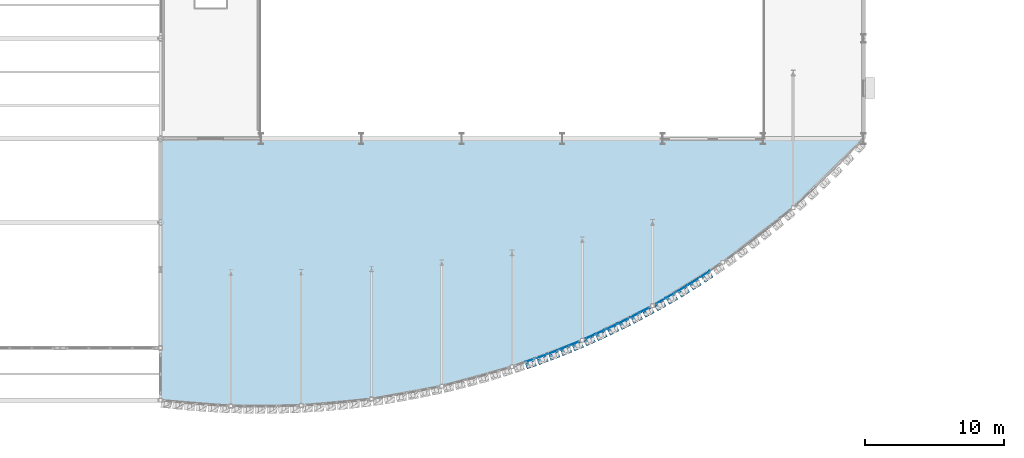
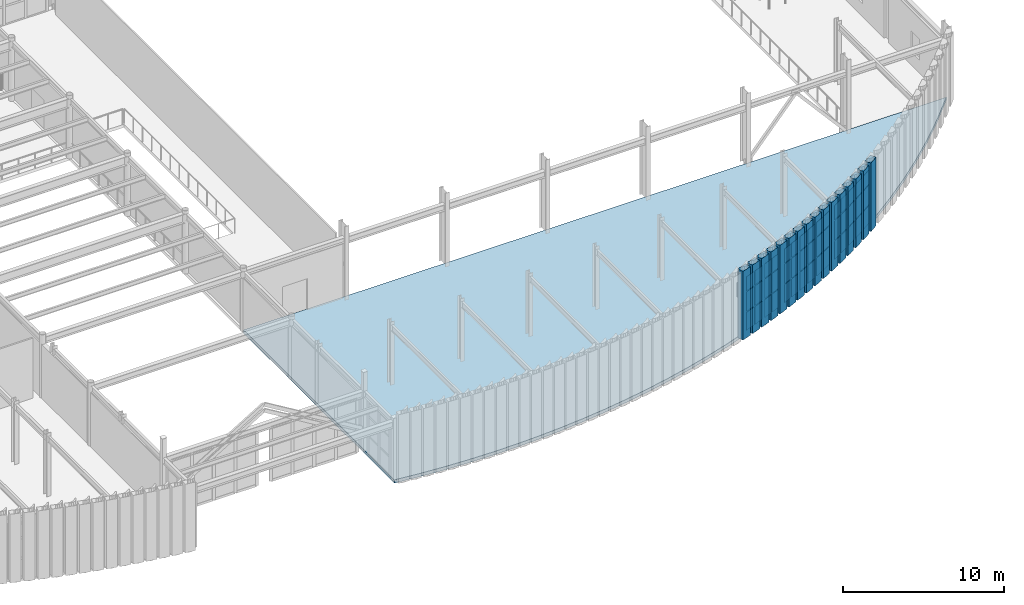
# One storey, part 91 of 126: 62 plates, 1 slab, 9 elements without a shape of their own.
"""IFC4 building model written with IfcOpenShell, lengths in metres."""

from ifc_helpers import new_model, si_unit, direction, frame, origin, origin_2d, place, context, subcontext, project, spatial, polyline, rectangle, outline, extrude, material, layer, layer_set, type_object, element, aggregate, save


model = new_model("IFC4")

# Units and contexts
model_context = context("Model", 3, precision=1e-05, world=origin(), true_north=direction((0.0, 1.0)))
body_context = subcontext(model_context, "Body", "Model", "MODEL_VIEW")
ifc_project = project(units=[si_unit("LENGTHUNIT", "METRE"), si_unit("AREAUNIT", "SQUARE_METRE"), si_unit("VOLUMEUNIT", "CUBIC_METRE"), si_unit("PLANEANGLEUNIT", "RADIAN"), si_unit("MASSUNIT", "GRAM", prefix="KILO")], contexts=[model_context])

# Site, building, storey
site_placement = place(None, origin())
site = spatial("IfcSite", under=ifc_project, at=site_placement, CompositionType="ELEMENT")
building_placement = place(site_placement, origin())
building = spatial("IfcBuilding", under=site, at=building_placement, Name="Solvadek Multi-Sports Hall", CompositionType="ELEMENT")
storey_placement = place(building_placement, frame((0.0, 0.0, 9.60009765625)))
storey = spatial("IfcBuildingStorey", under=building, at=storey_placement, Name="L02", CompositionType="ELEMENT", Elevation=9.60009765625)

# Curtain wall, plate
ifc_material_1 = material(Name="Anodised aluminium", Category="aluminium")
ifc_layer_1 = layer(ifc_material_1, 0.159912109375, Name="Anodised aluminium")
ifc_layer_set_1 = layer_set([ifc_layer_1], Name="Anodised aluminium")
curtain_wall_type_1 = type_object("IfcCurtainWallType", Name="ENV-CW-151X420", PredefinedType="USERDEFINED", material=ifc_layer_set_1)
curtain_wall_1_placement = place(storey_placement, origin())
curtain_wall_1 = element("IfcCurtainWall", 1, at=curtain_wall_1_placement, inside=storey, type_object=curtain_wall_type_1, Name="L02 Crescent Curved Curtain Wall #86", ObjectType="CURTAIN WALL", PredefinedType="USERDEFINED")
ifc_material_2 = material(Name="Tempered laminated low-E glass", Category="glass")
ifc_layer_2 = layer(ifc_material_2, 0.02392578125, Name="Tempered laminated low-E glass")
ifc_layer_set_2 = layer_set([ifc_layer_2], Name="Tempered laminated low-E glass")
plate_type_1 = type_object("IfcPlateType", Name="ENV-CWP-01", PredefinedType="CURTAIN_PANEL", material=ifc_layer_set_2)
plate_1_placement = place(storey_placement, frame((112.880126953125, -9.908447265625, 3.056396484375), z_axis=(0.0, 0.0, 1.0), x_axis=(0.946149530611, 0.323729927138, 0.0)))
plate_1 = element("IfcPlate", 2, at=plate_1_placement, type_object=plate_type_1, Name="CW-20 panel 2.3", PredefinedType="CURTAIN_PANEL", context=body_context, shape_type="SweptSolid", body=[
    extrude(rectangle(XDim=0.6552734375, YDim=0.02392578125, at=origin_2d()), origin(), (0.0, 0.0, 1.0), 1.07861328125),
])
aggregate(curtain_wall_1, [plate_1])

# Curtain wall, plates
ifc_layer_3 = layer(ifc_material_1, 0.159912109375, Name="Anodised aluminium")
ifc_layer_set_3 = layer_set([ifc_layer_3], Name="Anodised aluminium")
curtain_wall_type_2 = type_object("IfcCurtainWallType", Name="ENV-CW-167X420", PredefinedType="USERDEFINED", material=ifc_layer_set_3)
curtain_wall_2_placement = place(storey_placement, origin())
curtain_wall_2 = element("IfcCurtainWall", 3, at=curtain_wall_2_placement, inside=storey, type_object=curtain_wall_type_2, Name="L02 Crescent Curved Curtain Wall #98", ObjectType="CURTAIN WALL", PredefinedType="USERDEFINED")
plate_2_placement = place(storey_placement, frame((122.264892578125, -5.64306640625, 0.06005859375), z_axis=(0.0, 0.0, 1.0), x_axis=(0.867755149937, 0.496991951402, 0.0)))
plate_2 = element("IfcPlate", 4, at=plate_2_placement, type_object=plate_type_1, Name="CW-30 panel 1.1", PredefinedType="CURTAIN_PANEL", context=body_context, shape_type="SweptSolid", body=[
    extrude(rectangle(XDim=0.72802734375, YDim=0.02392578125, at=origin_2d()), origin(), (0.0, 0.0, 1.0), 1.3798828125),
])
plate_3_placement = place(storey_placement, frame((122.264892578125, -5.64306640625, 1.5), z_axis=(0.0, 0.0, 1.0), x_axis=(0.867755149937, 0.496991951402, 0.0)))
plate_3 = element("IfcPlate", 5, at=plate_3_placement, type_object=plate_type_1, Name="CW-30 panel 1.2", PredefinedType="CURTAIN_PANEL", context=body_context, shape_type="SweptSolid", body=[
    extrude(rectangle(XDim=0.72802734375, YDim=0.02392578125, at=origin_2d()), origin(), (0.0, 0.0, 1.0), 1.493896484375),
])
plate_4_placement = place(storey_placement, frame((122.264892578125, -5.64306640625, 3.053955078125), z_axis=(0.0, 0.0, 1.0), x_axis=(0.867755149937, 0.496991951402, 0.0)))
plate_4 = element("IfcPlate", 6, at=plate_4_placement, type_object=plate_type_1, Name="CW-30 panel 1.3", PredefinedType="CURTAIN_PANEL", context=body_context, shape_type="SweptSolid", body=[
    extrude(rectangle(XDim=0.72802734375, YDim=0.02392578125, at=origin_2d()), origin(), (0.0, 0.0, 1.0), 1.0859375),
])
plate_5_placement = place(storey_placement, frame((122.957275390625, -5.246337890625, 0.06005859375), z_axis=(0.0, 0.0, 1.0), x_axis=(0.867755149937, 0.496991951402, 0.0)))
plate_5 = element("IfcPlate", 7, at=plate_5_placement, type_object=plate_type_1, Name="CW-30 panel 2.1", PredefinedType="CURTAIN_PANEL", context=body_context, shape_type="SweptSolid", body=[
    extrude(rectangle(XDim=0.72802734375, YDim=0.02392578125, at=origin_2d()), origin(), (0.0, 0.0, 1.0), 1.3798828125),
])
plate_6_placement = place(storey_placement, frame((122.957275390625, -5.246337890625, 1.5), z_axis=(0.0, 0.0, 1.0), x_axis=(0.867755149937, 0.496991951402, 0.0)))
plate_6 = element("IfcPlate", 8, at=plate_6_placement, type_object=plate_type_1, Name="CW-30 panel 2.2", PredefinedType="CURTAIN_PANEL", context=body_context, shape_type="SweptSolid", body=[
    extrude(rectangle(XDim=0.72802734375, YDim=0.02392578125, at=origin_2d()), origin(), (0.0, 0.0, 1.0), 1.493896484375),
])
plate_7_placement = place(storey_placement, frame((122.957275390625, -5.246337890625, 3.053955078125), z_axis=(0.0, 0.0, 1.0), x_axis=(0.867755149937, 0.496991951402, 0.0)))
plate_7 = element("IfcPlate", 9, at=plate_7_placement, type_object=plate_type_1, Name="CW-30 panel 2.3", PredefinedType="CURTAIN_PANEL", context=body_context, shape_type="SweptSolid", body=[
    extrude(rectangle(XDim=0.72802734375, YDim=0.02392578125, at=origin_2d()), origin(), (0.0, 0.0, 1.0), 1.0859375),
])
aggregate(curtain_wall_2, [plate_2, plate_3, plate_4, plate_5, plate_6, plate_7])

ifc_layer_4 = layer(ifc_material_1, 0.159912109375, Name="Anodised aluminium")
ifc_layer_set_4 = layer_set([ifc_layer_4], Name="Anodised aluminium")
curtain_wall_type_3 = type_object("IfcCurtainWallType", Name="ENV-CW-174X420", PredefinedType="USERDEFINED", material=ifc_layer_set_4)
curtain_wall_3_placement = place(storey_placement, origin())
curtain_wall_3 = element("IfcCurtainWall", 10, at=curtain_wall_3_placement, inside=storey, type_object=curtain_wall_type_3, Name="L02 Crescent Curved Curtain Wall #88", ObjectType="CURTAIN WALL", PredefinedType="USERDEFINED")
ifc_layer_5 = layer(ifc_material_2, 0.028076171875, Name="Tempered laminated low-E glass")
ifc_layer_set_5 = layer_set([ifc_layer_5], Name="Tempered laminated low-E glass")
plate_type_2 = type_object("IfcPlateType", Name="ENV-CWP-02", PredefinedType="CURTAIN_PANEL", material=ifc_layer_set_5)
plate_8_placement = place(storey_placement, frame((113.73046875, -9.60205078125, 0.06494140625), z_axis=(0.0, 0.0, 1.0), x_axis=(0.935764321429, 0.352626055108, 0.0)))
plate_8 = element("IfcPlate", 11, at=plate_8_placement, type_object=plate_type_2, Name="CW-12 panel 1.1", PredefinedType="CURTAIN_PANEL", context=body_context, shape_type="SweptSolid", body=[
    extrude(rectangle(XDim=0.7626953125, YDim=0.028076171875, at=origin_2d()), origin(), (0.0, 0.0, 1.0), 1.37255859375),
])
plate_9_placement = place(storey_placement, frame((113.73046875, -9.60205078125, 1.50244140625), z_axis=(0.0, 0.0, 1.0), x_axis=(0.935764321429, 0.352626055108, 0.0)))
plate_9 = element("IfcPlate", 12, at=plate_9_placement, type_object=plate_type_2, Name="CW-12 panel 1.2", PredefinedType="CURTAIN_PANEL", context=body_context, shape_type="SweptSolid", body=[
    extrude(rectangle(XDim=0.7626953125, YDim=0.028076171875, at=origin_2d()), origin(), (0.0, 0.0, 1.0), 1.489013671875),
])
plate_10_placement = place(storey_placement, frame((113.73046875, -9.60205078125, 3.056396484375), z_axis=(0.0, 0.0, 1.0), x_axis=(0.935764321429, 0.352626055108, 0.0)))
plate_10 = element("IfcPlate", 13, at=plate_10_placement, type_object=plate_type_2, Name="CW-12 panel 1.3", PredefinedType="CURTAIN_PANEL", context=body_context, shape_type="SweptSolid", body=[
    extrude(rectangle(XDim=0.7626953125, YDim=0.028076171875, at=origin_2d()), origin(), (0.0, 0.0, 1.0), 1.07861328125),
])
plate_11_placement = place(storey_placement, frame((114.509521484375, -9.308349609375, 0.06494140625), z_axis=(0.0, 0.0, 1.0), x_axis=(0.935764321429, 0.352626055108, 0.0)))
plate_11 = element("IfcPlate", 14, at=plate_11_placement, type_object=plate_type_2, Name="CW-12 panel 2.1", PredefinedType="CURTAIN_PANEL", context=body_context, shape_type="SweptSolid", body=[
    extrude(rectangle(XDim=0.7626953125, YDim=0.028076171875, at=origin_2d()), origin(), (0.0, 0.0, 1.0), 1.37255859375),
])
plate_12_placement = place(storey_placement, frame((114.509521484375, -9.308349609375, 1.50244140625), z_axis=(0.0, 0.0, 1.0), x_axis=(0.935764321429, 0.352626055108, 0.0)))
plate_12 = element("IfcPlate", 15, at=plate_12_placement, type_object=plate_type_2, Name="CW-12 panel 2.2", PredefinedType="CURTAIN_PANEL", context=body_context, shape_type="SweptSolid", body=[
    extrude(rectangle(XDim=0.7626953125, YDim=0.028076171875, at=origin_2d()), origin(), (0.0, 0.0, 1.0), 1.489013671875),
])
plate_13_placement = place(storey_placement, frame((114.509521484375, -9.308349609375, 3.056396484375), z_axis=(0.0, 0.0, 1.0), x_axis=(0.935764321429, 0.352626055108, 0.0)))
plate_13 = element("IfcPlate", 16, at=plate_13_placement, type_object=plate_type_2, Name="CW-12 panel 2.3", PredefinedType="CURTAIN_PANEL", context=body_context, shape_type="SweptSolid", body=[
    extrude(rectangle(XDim=0.7626953125, YDim=0.028076171875, at=origin_2d()), origin(), (0.0, 0.0, 1.0), 1.07861328125),
])
aggregate(curtain_wall_3, [plate_8, plate_9, plate_10, plate_11, plate_12, plate_13])

ifc_layer_6 = layer(ifc_material_1, 0.159912109375, Name="Anodised aluminium")
ifc_layer_set_6 = layer_set([ifc_layer_6], Name="Anodised aluminium")
curtain_wall_type_4 = type_object("IfcCurtainWallType", Name="ENV-CW-192X420", PredefinedType="USERDEFINED", material=ifc_layer_set_6)
curtain_wall_4_placement = place(storey_placement, origin())
curtain_wall_4 = element("IfcCurtainWall", 17, at=curtain_wall_4_placement, inside=storey, type_object=curtain_wall_type_4, Name="L02 Crescent Curved Curtain Wall #100", ObjectType="CURTAIN WALL", PredefinedType="USERDEFINED")
plate_14_placement = place(storey_placement, frame((123.805419921875, -4.740478515625, 0.06005859375), z_axis=(0.0, 0.0, 1.0), x_axis=(0.850598815736, 0.525815228639, 0.0)))
plate_14 = element("IfcPlate", 18, at=plate_14_placement, type_object=plate_type_2, Name="CW-31 panel 1.1", PredefinedType="CURTAIN_PANEL", context=body_context, shape_type="SweptSolid", body=[
    extrude(rectangle(XDim=0.86767578125, YDim=0.028076171875, at=origin_2d()), origin(), (0.0, 0.0, 1.0), 1.3798828125),
])
plate_15_placement = place(storey_placement, frame((123.805419921875, -4.740478515625, 1.5), z_axis=(0.0, 0.0, 1.0), x_axis=(0.850598815736, 0.525815228639, 0.0)))
plate_15 = element("IfcPlate", 19, at=plate_15_placement, type_object=plate_type_2, Name="CW-31 panel 1.2", PredefinedType="CURTAIN_PANEL", context=body_context, shape_type="SweptSolid", body=[
    extrude(rectangle(XDim=0.86767578125, YDim=0.028076171875, at=origin_2d()), origin(), (0.0, 0.0, 1.0), 1.493896484375),
])
plate_16_placement = place(storey_placement, frame((123.805419921875, -4.740478515625, 3.053955078125), z_axis=(0.0, 0.0, 1.0), x_axis=(0.850598815736, 0.525815228639, 0.0)))
plate_16 = element("IfcPlate", 20, at=plate_16_placement, type_object=plate_type_2, Name="CW-31 panel 1.3", PredefinedType="CURTAIN_PANEL", context=body_context, shape_type="SweptSolid", body=[
    extrude(rectangle(XDim=0.86767578125, YDim=0.028076171875, at=origin_2d()), origin(), (0.0, 0.0, 1.0), 1.0859375),
])
plate_17_placement = place(storey_placement, frame((124.594482421875, -4.252685546875, 0.06005859375), z_axis=(0.0, 0.0, 1.0), x_axis=(0.850598815736, 0.525815228639, 0.0)))
plate_17 = element("IfcPlate", 21, at=plate_17_placement, type_object=plate_type_2, Name="CW-31 panel 2.1", PredefinedType="CURTAIN_PANEL", context=body_context, shape_type="SweptSolid", body=[
    extrude(rectangle(XDim=0.86767578125, YDim=0.028076171875, at=origin_2d()), origin(), (0.0, 0.0, 1.0), 1.3798828125),
])
plate_18_placement = place(storey_placement, frame((124.594482421875, -4.252685546875, 1.5), z_axis=(0.0, 0.0, 1.0), x_axis=(0.850598815736, 0.525815228639, 0.0)))
plate_18 = element("IfcPlate", 22, at=plate_18_placement, type_object=plate_type_2, Name="CW-31 panel 2.2", PredefinedType="CURTAIN_PANEL", context=body_context, shape_type="SweptSolid", body=[
    extrude(rectangle(XDim=0.86767578125, YDim=0.028076171875, at=origin_2d()), origin(), (0.0, 0.0, 1.0), 1.493896484375),
])
plate_19_placement = place(storey_placement, frame((124.594482421875, -4.252685546875, 3.053955078125), z_axis=(0.0, 0.0, 1.0), x_axis=(0.850598815736, 0.525815228639, 0.0)))
plate_19 = element("IfcPlate", 23, at=plate_19_placement, type_object=plate_type_2, Name="CW-31 panel 2.3", PredefinedType="CURTAIN_PANEL", context=body_context, shape_type="SweptSolid", body=[
    extrude(rectangle(XDim=0.86767578125, YDim=0.028076171875, at=origin_2d()), origin(), (0.0, 0.0, 1.0), 1.0859375),
])
aggregate(curtain_wall_4, [plate_14, plate_15, plate_16, plate_17, plate_18, plate_19])

ifc_layer_7 = layer(ifc_material_1, 0.159912109375, Name="Anodised aluminium")
ifc_layer_set_7 = layer_set([ifc_layer_7], Name="Anodised aluminium")
curtain_wall_type_5 = type_object("IfcCurtainWallType", Name="ENV-CW-155X420", PredefinedType="USERDEFINED", material=ifc_layer_set_7)
curtain_wall_5_placement = place(storey_placement, origin())
curtain_wall_5 = element("IfcCurtainWall", 24, at=curtain_wall_5_placement, inside=storey, type_object=curtain_wall_type_5, Name="L02 Crescent Curved Curtain Wall #90", ObjectType="CURTAIN WALL", PredefinedType="USERDEFINED")
ifc_layer_8 = layer(ifc_material_2, 0.031982421875, Name="Tempered laminated low-E glass")
ifc_layer_set_8 = layer_set([ifc_layer_8], Name="Tempered laminated low-E glass")
plate_type_3 = type_object("IfcPlateType", Name="ENV-CWP-03", PredefinedType="CURTAIN_PANEL", material=ifc_layer_set_8)
plate_20_placement = place(storey_placement, frame((115.359130859375, -8.973876953125, 0.06005859375), z_axis=(0.0, 0.0, 1.0), x_axis=(0.924379359337, 0.381474507709, 0.0)))
plate_20 = element("IfcPlate", 25, at=plate_20_placement, type_object=plate_type_3, Name="CW-18 panel 1.1", PredefinedType="CURTAIN_PANEL", context=body_context, shape_type="SweptSolid", body=[
    extrude(rectangle(XDim=0.68359375, YDim=0.031982421875, at=origin_2d()), origin(), (0.0, 0.0, 1.0), 1.3798828125),
])
plate_21_placement = place(storey_placement, frame((115.359130859375, -8.973876953125, 1.5), z_axis=(0.0, 0.0, 1.0), x_axis=(0.924379359337, 0.381474507709, 0.0)))
plate_21 = element("IfcPlate", 26, at=plate_21_placement, type_object=plate_type_3, Name="CW-18 panel 1.2", PredefinedType="CURTAIN_PANEL", context=body_context, shape_type="SweptSolid", body=[
    extrude(rectangle(XDim=0.68359375, YDim=0.031982421875, at=origin_2d()), origin(), (0.0, 0.0, 1.0), 1.493896484375),
])
plate_22_placement = place(storey_placement, frame((115.359130859375, -8.973876953125, 3.053955078125), z_axis=(0.0, 0.0, 1.0), x_axis=(0.924379359337, 0.381474507709, 0.0)))
plate_22 = element("IfcPlate", 27, at=plate_22_placement, type_object=plate_type_3, Name="CW-18 panel 1.3", PredefinedType="CURTAIN_PANEL", context=body_context, shape_type="SweptSolid", body=[
    extrude(rectangle(XDim=0.68359375, YDim=0.031982421875, at=origin_2d()), origin(), (0.0, 0.0, 1.0), 1.0859375),
])
plate_23_placement = place(storey_placement, frame((116.046630859375, -8.690185546875, 0.06005859375), z_axis=(0.0, 0.0, 1.0), x_axis=(0.924379359337, 0.381474507709, 0.0)))
plate_23 = element("IfcPlate", 28, at=plate_23_placement, type_object=plate_type_3, Name="CW-18 panel 2.1", PredefinedType="CURTAIN_PANEL", context=body_context, shape_type="SweptSolid", body=[
    extrude(rectangle(XDim=0.68359375, YDim=0.031982421875, at=origin_2d()), origin(), (0.0, 0.0, 1.0), 1.3798828125),
])
plate_24_placement = place(storey_placement, frame((116.046630859375, -8.690185546875, 1.5), z_axis=(0.0, 0.0, 1.0), x_axis=(0.924379359337, 0.381474507709, 0.0)))
plate_24 = element("IfcPlate", 29, at=plate_24_placement, type_object=plate_type_3, Name="CW-18 panel 2.2", PredefinedType="CURTAIN_PANEL", context=body_context, shape_type="SweptSolid", body=[
    extrude(rectangle(XDim=0.68359375, YDim=0.031982421875, at=origin_2d()), origin(), (0.0, 0.0, 1.0), 1.493896484375),
])
plate_25_placement = place(storey_placement, frame((116.046630859375, -8.690185546875, 3.053955078125), z_axis=(0.0, 0.0, 1.0), x_axis=(0.924379359337, 0.381474507709, 0.0)))
plate_25 = element("IfcPlate", 30, at=plate_25_placement, type_object=plate_type_3, Name="CW-18 panel 2.3", PredefinedType="CURTAIN_PANEL", context=body_context, shape_type="SweptSolid", body=[
    extrude(rectangle(XDim=0.68359375, YDim=0.031982421875, at=origin_2d()), origin(), (0.0, 0.0, 1.0), 1.0859375),
])
aggregate(curtain_wall_5, [plate_20, plate_21, plate_22, plate_23, plate_24, plate_25])

ifc_layer_9 = layer(ifc_material_1, 0.159912109375, Name="Anodised aluminium")
ifc_layer_set_9 = layer_set([ifc_layer_9], Name="Anodised aluminium")
curtain_wall_type_6 = type_object("IfcCurtainWallType", Name="ENV-CW-175X420", PredefinedType="USERDEFINED", material=ifc_layer_set_9)
curtain_wall_6_placement = place(storey_placement, origin())
curtain_wall_6 = element("IfcCurtainWall", 31, at=curtain_wall_6_placement, inside=storey, type_object=curtain_wall_type_6, Name="L02 Crescent Curved Curtain Wall #102", ObjectType="CURTAIN WALL", PredefinedType="USERDEFINED")
plate_26_placement = place(storey_placement, frame((125.44140625, -3.709716796875, 0.06494140625), z_axis=(0.0, 0.0, 1.0), x_axis=(0.831997518104, 0.554779352418, 0.0)))
plate_26 = element("IfcPlate", 32, at=plate_26_placement, type_object=plate_type_3, Name="CW-32 panel 1.1", PredefinedType="CURTAIN_PANEL", context=body_context, shape_type="SweptSolid", body=[
    extrude(rectangle(XDim=0.78466796875, YDim=0.031982421875, at=origin_2d()), origin(), (0.0, 0.0, 1.0), 1.37255859375),
])
plate_27_placement = place(storey_placement, frame((125.44140625, -3.709716796875, 1.50244140625), z_axis=(0.0, 0.0, 1.0), x_axis=(0.831997518104, 0.554779352418, 0.0)))
plate_27 = element("IfcPlate", 33, at=plate_27_placement, type_object=plate_type_3, Name="CW-32 panel 1.2", PredefinedType="CURTAIN_PANEL", context=body_context, shape_type="SweptSolid", body=[
    extrude(rectangle(XDim=0.78466796875, YDim=0.031982421875, at=origin_2d()), origin(), (0.0, 0.0, 1.0), 1.489013671875),
])
plate_28_placement = place(storey_placement, frame((125.44140625, -3.709716796875, 3.056396484375), z_axis=(0.0, 0.0, 1.0), x_axis=(0.831997518104, 0.554779352418, 0.0)))
plate_28 = element("IfcPlate", 34, at=plate_28_placement, type_object=plate_type_3, Name="CW-32 panel 1.3", PredefinedType="CURTAIN_PANEL", context=body_context, shape_type="SweptSolid", body=[
    extrude(rectangle(XDim=0.78466796875, YDim=0.031982421875, at=origin_2d()), origin(), (0.0, 0.0, 1.0), 1.07861328125),
])
aggregate(curtain_wall_6, [plate_26, plate_27, plate_28])

ifc_layer_10 = layer(ifc_material_1, 0.159912109375, Name="Anodised aluminium")
ifc_layer_set_10 = layer_set([ifc_layer_10], Name="Anodised aluminium")
curtain_wall_type_7 = type_object("IfcCurtainWallType", Name="ENV-CW-157X420", PredefinedType="USERDEFINED", material=ifc_layer_set_10)
curtain_wall_7_placement = place(storey_placement, origin())
curtain_wall_7 = element("IfcCurtainWall", 35, at=curtain_wall_7_placement, inside=storey, type_object=curtain_wall_type_7, Name="L02 Crescent Curved Curtain Wall #92", ObjectType="CURTAIN WALL", PredefinedType="USERDEFINED")
ifc_layer_11 = layer(ifc_material_2, 0.035888671875, Name="Tempered laminated low-E glass")
ifc_layer_set_11 = layer_set([ifc_layer_11], Name="Tempered laminated low-E glass")
plate_type_4 = type_object("IfcPlateType", Name="ENV-CWP-04", PredefinedType="CURTAIN_PANEL", material=ifc_layer_set_11)
plate_29_placement = place(storey_placement, frame((117.23095703125, -8.179443359375, 0.06005859375), z_axis=(0.0, 0.0, 1.0), x_axis=(0.911913174114, 0.410383190297, 0.0)))
plate_29 = element("IfcPlate", 36, at=plate_29_placement, type_object=plate_type_4, Name="CW-17 panel 1.1", PredefinedType="CURTAIN_PANEL", context=body_context, shape_type="SweptSolid", body=[
    extrude(rectangle(XDim=0.696044921875, YDim=0.035888671875, at=origin_2d()), origin(), (0.0, 0.0, 1.0), 1.3798828125),
])
plate_30_placement = place(storey_placement, frame((117.23095703125, -8.179443359375, 1.5), z_axis=(0.0, 0.0, 1.0), x_axis=(0.911913174114, 0.410383190297, 0.0)))
plate_30 = element("IfcPlate", 37, at=plate_30_placement, type_object=plate_type_4, Name="CW-17 panel 1.2", PredefinedType="CURTAIN_PANEL", context=body_context, shape_type="SweptSolid", body=[
    extrude(rectangle(XDim=0.696044921875, YDim=0.035888671875, at=origin_2d()), origin(), (0.0, 0.0, 1.0), 1.493896484375),
])
plate_31_placement = place(storey_placement, frame((117.23095703125, -8.179443359375, 3.053955078125), z_axis=(0.0, 0.0, 1.0), x_axis=(0.911913174114, 0.410383190297, 0.0)))
plate_31 = element("IfcPlate", 38, at=plate_31_placement, type_object=plate_type_4, Name="CW-17 panel 1.3", PredefinedType="CURTAIN_PANEL", context=body_context, shape_type="SweptSolid", body=[
    extrude(rectangle(XDim=0.696044921875, YDim=0.035888671875, at=origin_2d()), origin(), (0.0, 0.0, 1.0), 1.0859375),
])
plate_32_placement = place(storey_placement, frame((117.92041015625, -7.869140625, 0.06005859375), z_axis=(0.0, 0.0, 1.0), x_axis=(0.911913174114, 0.410383190297, 0.0)))
plate_32 = element("IfcPlate", 39, at=plate_32_placement, type_object=plate_type_4, Name="CW-17 panel 2.1", PredefinedType="CURTAIN_PANEL", context=body_context, shape_type="SweptSolid", body=[
    extrude(rectangle(XDim=0.696044921875, YDim=0.035888671875, at=origin_2d()), origin(), (0.0, 0.0, 1.0), 1.3798828125),
])
plate_33_placement = place(storey_placement, frame((117.92041015625, -7.869140625, 1.5), z_axis=(0.0, 0.0, 1.0), x_axis=(0.911913174114, 0.410383190297, 0.0)))
plate_33 = element("IfcPlate", 40, at=plate_33_placement, type_object=plate_type_4, Name="CW-17 panel 2.2", PredefinedType="CURTAIN_PANEL", context=body_context, shape_type="SweptSolid", body=[
    extrude(rectangle(XDim=0.696044921875, YDim=0.035888671875, at=origin_2d()), origin(), (0.0, 0.0, 1.0), 1.493896484375),
])
plate_34_placement = place(storey_placement, frame((117.92041015625, -7.869140625, 3.053955078125), z_axis=(0.0, 0.0, 1.0), x_axis=(0.911913174114, 0.410383190297, 0.0)))
plate_34 = element("IfcPlate", 41, at=plate_34_placement, type_object=plate_type_4, Name="CW-17 panel 2.3", PredefinedType="CURTAIN_PANEL", context=body_context, shape_type="SweptSolid", body=[
    extrude(rectangle(XDim=0.696044921875, YDim=0.035888671875, at=origin_2d()), origin(), (0.0, 0.0, 1.0), 1.0859375),
])
aggregate(curtain_wall_7, [plate_29, plate_30, plate_31, plate_32, plate_33, plate_34])

ifc_layer_12 = layer(ifc_material_1, 0.159912109375, Name="Anodised aluminium")
ifc_layer_set_12 = layer_set([ifc_layer_12], Name="Anodised aluminium")
curtain_wall_type_8 = type_object("IfcCurtainWallType", Name="ENV-CW-181X420", PredefinedType="USERDEFINED", material=ifc_layer_set_12)
curtain_wall_8_placement = place(storey_placement, origin())
curtain_wall_8 = element("IfcCurtainWall", 42, at=curtain_wall_8_placement, inside=storey, type_object=curtain_wall_type_8, Name="L02 Crescent Curved Curtain Wall #94", ObjectType="CURTAIN WALL", PredefinedType="USERDEFINED")
ifc_layer_13 = layer(ifc_material_2, 0.0419921875, Name="Tempered laminated low-E glass")
ifc_layer_set_13 = layer_set([ifc_layer_13], Name="Tempered laminated low-E glass")
plate_type_5 = type_object("IfcPlateType", Name="ENV-CWP-05", PredefinedType="CURTAIN_PANEL", material=ifc_layer_set_13)
plate_35_placement = place(storey_placement, frame((118.76806640625, -7.47021484375, 0.06494140625), z_axis=(0.0, 0.0, 1.0), x_axis=(0.898369826672, 0.439239859901, 0.0)))
plate_35 = element("IfcPlate", 43, at=plate_35_placement, type_object=plate_type_5, Name="CW-16 panel 1.1", PredefinedType="CURTAIN_PANEL", context=body_context, shape_type="SweptSolid", body=[
    extrude(rectangle(XDim=0.807373046875, YDim=0.0419921875, at=origin_2d()), origin(), (0.0, 0.0, 1.0), 1.37255859375),
])
plate_36_placement = place(storey_placement, frame((118.76806640625, -7.47021484375, 1.50244140625), z_axis=(0.0, 0.0, 1.0), x_axis=(0.898369826672, 0.439239859901, 0.0)))
plate_36 = element("IfcPlate", 44, at=plate_36_placement, type_object=plate_type_5, Name="CW-16 panel 1.2", PredefinedType="CURTAIN_PANEL", context=body_context, shape_type="SweptSolid", body=[
    extrude(rectangle(XDim=0.807373046875, YDim=0.0419921875, at=origin_2d()), origin(), (0.0, 0.0, 1.0), 1.489013671875),
])
plate_37_placement = place(storey_placement, frame((118.76806640625, -7.47021484375, 3.056396484375), z_axis=(0.0, 0.0, 1.0), x_axis=(0.898369826672, 0.439239859901, 0.0)))
plate_37 = element("IfcPlate", 45, at=plate_37_placement, type_object=plate_type_5, Name="CW-16 panel 1.3", PredefinedType="CURTAIN_PANEL", context=body_context, shape_type="SweptSolid", body=[
    extrude(rectangle(XDim=0.807373046875, YDim=0.0419921875, at=origin_2d()), origin(), (0.0, 0.0, 1.0), 1.07861328125),
])
plate_38_placement = place(storey_placement, frame((119.552001953125, -7.0869140625, 0.06494140625), z_axis=(0.0, 0.0, 1.0), x_axis=(0.898369826672, 0.439239859901, 0.0)))
plate_38 = element("IfcPlate", 46, at=plate_38_placement, type_object=plate_type_5, Name="CW-16 panel 2.1", PredefinedType="CURTAIN_PANEL", context=body_context, shape_type="SweptSolid", body=[
    extrude(rectangle(XDim=0.807373046875, YDim=0.0419921875, at=origin_2d()), origin(), (0.0, 0.0, 1.0), 1.37255859375),
])
plate_39_placement = place(storey_placement, frame((119.552001953125, -7.0869140625, 1.50244140625), z_axis=(0.0, 0.0, 1.0), x_axis=(0.898369826672, 0.439239859901, 0.0)))
plate_39 = element("IfcPlate", 47, at=plate_39_placement, type_object=plate_type_5, Name="CW-16 panel 2.2", PredefinedType="CURTAIN_PANEL", context=body_context, shape_type="SweptSolid", body=[
    extrude(rectangle(XDim=0.807373046875, YDim=0.0419921875, at=origin_2d()), origin(), (0.0, 0.0, 1.0), 1.489013671875),
])
plate_40_placement = place(storey_placement, frame((119.552001953125, -7.0869140625, 3.056396484375), z_axis=(0.0, 0.0, 1.0), x_axis=(0.898369826672, 0.439239859901, 0.0)))
plate_40 = element("IfcPlate", 48, at=plate_40_placement, type_object=plate_type_5, Name="CW-16 panel 2.3", PredefinedType="CURTAIN_PANEL", context=body_context, shape_type="SweptSolid", body=[
    extrude(rectangle(XDim=0.807373046875, YDim=0.0419921875, at=origin_2d()), origin(), (0.0, 0.0, 1.0), 1.07861328125),
])
aggregate(curtain_wall_8, [plate_35, plate_36, plate_37, plate_38, plate_39, plate_40])

ifc_layer_14 = layer(ifc_material_1, 0.159912109375, Name="Anodised aluminium")
ifc_layer_set_14 = layer_set([ifc_layer_14], Name="Anodised aluminium")
curtain_wall_type_9 = type_object("IfcCurtainWallType", Name="ENV-CW-163X420", PredefinedType="USERDEFINED", material=ifc_layer_set_14)
curtain_wall_9_placement = place(storey_placement, origin())
curtain_wall_9 = element("IfcCurtainWall", 49, at=curtain_wall_9_placement, inside=storey, type_object=curtain_wall_type_9, Name="L02 Crescent Curved Curtain Wall #96", ObjectType="CURTAIN WALL", PredefinedType="USERDEFINED")
ifc_layer_15 = layer(ifc_material_2, 0.048095703125, Name="Tempered laminated low-E glass")
ifc_layer_set_15 = layer_set([ifc_layer_15], Name="Tempered laminated low-E glass")
plate_type_6 = type_object("IfcPlateType", Name="ENV-CWP-06", PredefinedType="CURTAIN_PANEL", material=ifc_layer_set_15)
plate_41_placement = place(storey_placement, frame((120.401123046875, -6.6552734375, 0.06494140625), z_axis=(0.0, 0.0, 1.0), x_axis=(0.883659638353, 0.468129943014, 0.0)))
plate_41 = element("IfcPlate", 50, at=plate_41_placement, type_object=plate_type_6, Name="CW-15 panel 1.1", PredefinedType="CURTAIN_PANEL", context=body_context, shape_type="SweptSolid", body=[
    extrude(rectangle(XDim=0.718017578125, YDim=0.048095703125, at=origin_2d()), origin(), (0.0, 0.0, 1.0), 1.37255859375),
])
plate_42_placement = place(storey_placement, frame((120.401123046875, -6.6552734375, 1.50244140625), z_axis=(0.0, 0.0, 1.0), x_axis=(0.883659638353, 0.468129943014, 0.0)))
plate_42 = element("IfcPlate", 51, at=plate_42_placement, type_object=plate_type_6, Name="CW-15 panel 1.2", PredefinedType="CURTAIN_PANEL", context=body_context, shape_type="SweptSolid", body=[
    extrude(rectangle(XDim=0.718017578125, YDim=0.048095703125, at=origin_2d()), origin(), (0.0, 0.0, 1.0), 1.489013671875),
])
plate_43_placement = place(storey_placement, frame((120.401123046875, -6.6552734375, 3.056396484375), z_axis=(0.0, 0.0, 1.0), x_axis=(0.883659638353, 0.468129943014, 0.0)))
plate_43 = element("IfcPlate", 52, at=plate_43_placement, type_object=plate_type_6, Name="CW-15 panel 1.3", PredefinedType="CURTAIN_PANEL", context=body_context, shape_type="SweptSolid", body=[
    extrude(rectangle(XDim=0.718017578125, YDim=0.048095703125, at=origin_2d()), origin(), (0.0, 0.0, 1.0), 1.07861328125),
])
plate_44_placement = place(storey_placement, frame((121.09326171875, -6.288818359375, 0.06494140625), z_axis=(0.0, 0.0, 1.0), x_axis=(0.883659638353, 0.468129943014, 0.0)))
plate_44 = element("IfcPlate", 53, at=plate_44_placement, type_object=plate_type_6, Name="CW-15 panel 2.1", PredefinedType="CURTAIN_PANEL", context=body_context, shape_type="SweptSolid", body=[
    extrude(rectangle(XDim=0.718017578125, YDim=0.048095703125, at=origin_2d()), origin(), (0.0, 0.0, 1.0), 1.37255859375),
])
plate_45_placement = place(storey_placement, frame((121.09326171875, -6.288818359375, 1.50244140625), z_axis=(0.0, 0.0, 1.0), x_axis=(0.883659638353, 0.468129943014, 0.0)))
plate_45 = element("IfcPlate", 54, at=plate_45_placement, type_object=plate_type_6, Name="CW-15 panel 2.2", PredefinedType="CURTAIN_PANEL", context=body_context, shape_type="SweptSolid", body=[
    extrude(rectangle(XDim=0.718017578125, YDim=0.048095703125, at=origin_2d()), origin(), (0.0, 0.0, 1.0), 1.489013671875),
])
plate_46_placement = place(storey_placement, frame((121.09326171875, -6.288818359375, 3.056396484375), z_axis=(0.0, 0.0, 1.0), x_axis=(0.883659638353, 0.468129943014, 0.0)))
plate_46 = element("IfcPlate", 55, at=plate_46_placement, type_object=plate_type_6, Name="CW-15 panel 2.3", PredefinedType="CURTAIN_PANEL", context=body_context, shape_type="SweptSolid", body=[
    extrude(rectangle(XDim=0.718017578125, YDim=0.048095703125, at=origin_2d()), origin(), (0.0, 0.0, 1.0), 1.07861328125),
])
aggregate(curtain_wall_9, [plate_41, plate_42, plate_43, plate_44, plate_45, plate_46])

# Plates
ifc_material_3 = material(Name="Perforated champagne-bronze anodised aluminium", Category="aluminium")
ifc_layer_16 = layer(ifc_material_3, 0.419921875, Name="Perforated champagne-bronze anodised aluminium")
ifc_layer_set_16 = layer_set([ifc_layer_16], Name="Perforated champagne-bronze anodised aluminium")
plate_type_7 = type_object("IfcPlateType", Name="ENV-FLT-520", PredefinedType="USERDEFINED", material=ifc_layer_set_16)
for number, where, z_axis, x_axis, name in (
    (56, (112.95703125, -10.19921875, 0.0400390625), (0.0, 0.0, 1.0), (0.946153090794, 0.323719521778, 0.0), "L02 Half-Cylinder Colonnade Flute #172"),
    (57, (113.805908203125, -9.89404296875, 0.0400390625), (0.0, 0.0, 1.0), (0.935760271469, 0.352636802305, 0.0), "L02 Half-Cylinder Colonnade Flute #175"),
    (58, (114.645751953125, -9.57763671875, 0.0400390625), (0.0, 0.0, 1.0), (0.935760271469, 0.352636802305, 0.0), "L02 Half-Cylinder Colonnade Flute #176"),
    (59, (115.494384765625, -9.24267578125, 0.0400390625), (0.0, 0.0, 1.0), (0.924380401082, 0.381471983369, 0.0), "L02 Half-Cylinder Colonnade Flute #179"),
    (60, (116.33447265625, -8.89599609375, 0.0400390625), (0.0, 0.0, 1.0), (0.924380401082, 0.381471983369, 0.0), "L02 Half-Cylinder Colonnade Flute #180"),
    (61, (117.18310546875, -8.52978515625, 0.0400390625), (0.0, 0.0, 1.0), (0.911921505175, 0.41036467733, 0.0), "L02 Half-Cylinder Colonnade Flute #183"),
    (62, (118.023193359375, -8.15185546875, 0.0400390625), (0.0, 0.0, 1.0), (0.911921505175, 0.41036467733, 0.0), "L02 Half-Cylinder Colonnade Flute #184"),
    (63, (118.871826171875, -7.75341796875, 0.0400390625), (0.0, 0.0, 1.0), (0.898370293848, 0.439238904392, 0.0), "L02 Half-Cylinder Colonnade Flute #187"),
    (64, (119.711669921875, -7.3427734375, 0.0400390625), (0.0, 0.0, 1.0), (0.898370293848, 0.439238904392, 0.0), "L02 Half-Cylinder Colonnade Flute #188"),
    (65, (120.560546875, -6.91064453125, 0.0400390625), (0.0, 0.0, 1.0), (0.883681698244, 0.468088299565, 0.0), "L02 Half-Cylinder Colonnade Flute #191"),
    (66, (121.400390625, -6.465576171875, 0.0400390625), (0.0, 0.0, 1.0), (0.883681698244, 0.468088299565, 0.0), "L02 Half-Cylinder Colonnade Flute #192"),
    (67, (122.2490234375, -5.997802734375, 0.0400390625), (0.0, 0.0, 1.0), (0.867753217729, 0.496995325049, 0.0), "L02 Half-Cylinder Colonnade Flute #195"),
    (68, (123.089111328125, -5.5166015625, 0.0400390625), (0.0, 0.0, 1.0), (0.867753217729, 0.496995325049, 0.0), "L02 Half-Cylinder Colonnade Flute #196"),
    (69, (123.937744140625, -5.01123046875, 0.0400390625), (0.0, 0.0, 1.0), (0.850582217599, 0.525842078103, 0.0), "L02 Half-Cylinder Colonnade Flute #199"),
    (70, (124.77783203125, -4.491943359375, 0.0400390625), (0.0, 0.0, 1.0), (0.850582217599, 0.525842078103, 0.0), "L02 Half-Cylinder Colonnade Flute #200"),
    (71, (125.62646484375, -3.94677734375, 0.0400390625), (0.0, 0.0, 1.0), (0.832027435734, 0.5547344826, 0.0), "L02 Half-Cylinder Colonnade Flute #203"),
):
    element("IfcPlate", number, at=place(storey_placement, frame(where, z_axis=z_axis, x_axis=x_axis)), inside=storey, type_object=plate_type_7, Name=name, ObjectType="FLANGED_SHEET", PredefinedType="USERDEFINED", context=body_context, shape_type="SweptSolid", body=[
        extrude(rectangle(XDim=0.719970703125, YDim=0.419921875, at=origin_2d()), origin(), (0.0, 0.0, 1.0), 5.199951171875),
    ])

# Slab
ifc_material_4 = material(Name="Concrete M35", Category="concrete")
ifc_layer_17 = layer(ifc_material_4, 0.199951171875, Name="Concrete M35")
ifc_layer_set_17 = layer_set([ifc_layer_17], Name="Concrete M35")
slab_type = type_object("IfcSlabType", Name="STR-SLB-FLR200", PredefinedType="FLOOR", material=ifc_layer_set_17)
slab_placement = place(storey_placement, frame((0.0, 0.0, -0.239990234375)))
element("IfcSlab", 72, at=slab_placement, inside=storey, type_object=slab_type, Name="L02 East Crescent Curved Slab #26", PredefinedType="FLOOR", context=body_context, shape_type="SweptSolid", body=[
    extrude(outline(polyline([(136.800048828125, 6.0), (135.1201171875, 4.216064453125), (133.43994140625, 2.573486328125), (131.760009765625, 1.05615234375), (130.080078125, -0.34814453125), (128.39990234375, -1.64990234375), (126.719970703125, -2.857177734375), (125.0400390625, -3.977294921875), (123.360107421875, -5.015869140625), (121.679931640625, -5.97802734375), (120.0, -6.867919921875), (118.320068359375, -7.689208984375), (116.639892578125, -8.4453125), (114.9599609375, -9.138671875), (113.280029296875, -9.771728515625), (111.60009765625, -10.346435546875), (109.919921875, -10.864990234375), (108.239990234375, -11.32861328125), (106.56005859375, -11.73876953125), (104.8798828125, -12.096435546875), (103.199951171875, -12.40283203125), (101.52001953125, -12.65869140625), (99.840087890625, -12.864501953125), (98.159912109375, -13.02099609375), (96.47998046875, -13.128662109375), (94.800048828125, -13.1875), (93.1201171875, -13.197998046875), (91.43994140625, -13.159912109375), (89.760009765625, -13.0732421875), (88.080078125, -12.9375), (86.39990234375, -12.7529296875), (86.39990234375, 6.0), (136.800048828125, 6.0)])), origin(), (0.0, 0.0, 1.0), 0.239990234375),
])

save(model, "model.ifc")
